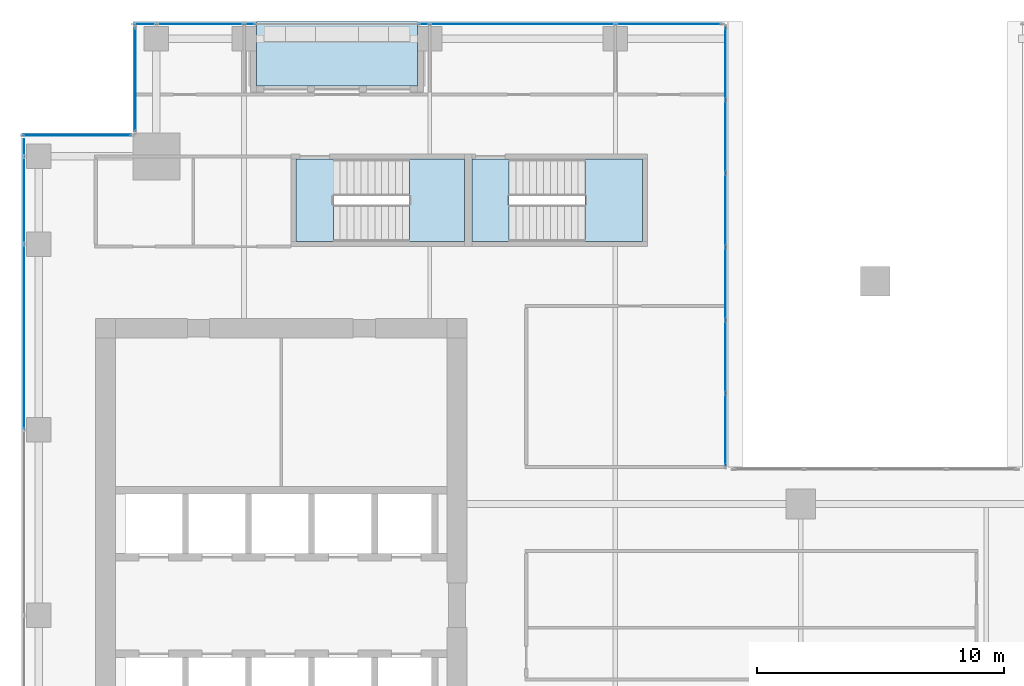
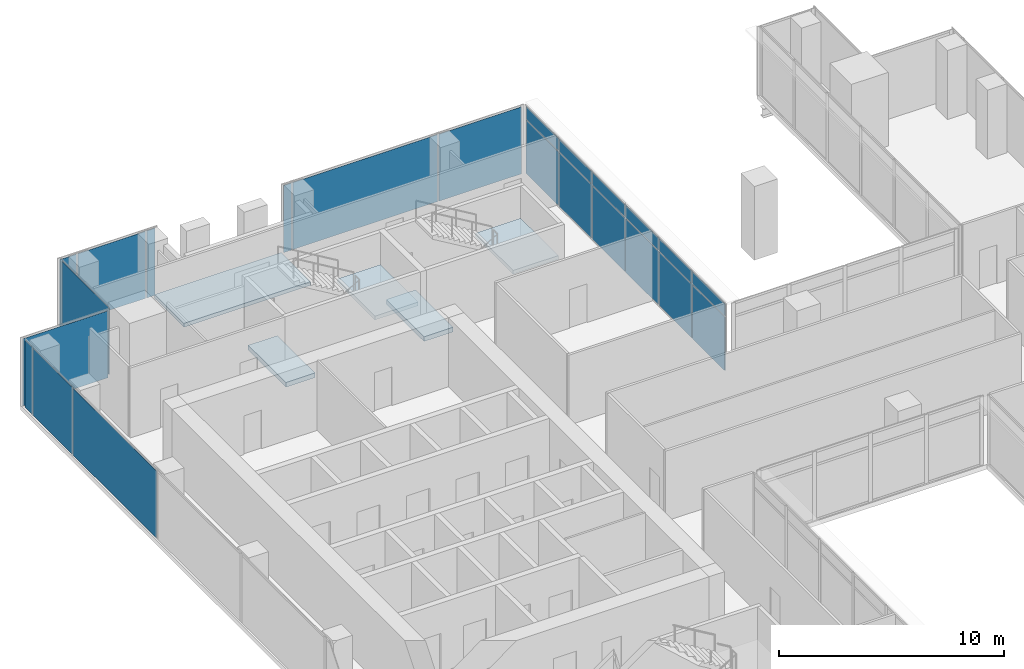
# One storey, part 30 of 37: 23 plates, 5 slabs, 8 elements without a shape of their own.
"""IFC4 building model written with IfcOpenShell, lengths in metres."""

import ifcopenshell
import ifcopenshell.guid

model = None  # the IFC model being written
_history = None  # IfcOwnerHistory: only IFC2X3 demands one
_inside = {}  # id of a spatial element -> (the spatial element, [elements in it])
_under = {}  # id of a project, library or spatial element -> (it, [spatial elements below it])
_declared = {}  # id of a project -> (the project, [libraries it declares])
_typed = {}  # id of a type object -> (the type object, [elements of that type])
_made_of = {}  # id of a material, layer set ... -> (it, [elements and type objects made of it])


def new_model(schema):
    """Start an empty IFC model of exactly this schema.

    Asked for "IFC4X3", IfcOpenShell would pick the latest addendum, in which some entities
    have other attributes; the version numbers below select the first issue.
    IFC2X3 requires an IfcOwnerHistory on every rooted entity: one is made here for all.
    """
    global model, _history
    if schema == "IFC4X3":
        model = ifcopenshell.file(schema_version=(4, 3, 0, 0))
    else:
        model = ifcopenshell.file(schema=schema)
    _inside.clear()
    _under.clear()
    _declared.clear()
    _typed.clear()
    _made_of.clear()
    _history = None
    if model.schema == "IFC2X3":
        org = make("IfcOrganization", Name="unknown")
        user = make(
            "IfcPersonAndOrganization",
            ThePerson=make("IfcPerson", FamilyName="unknown"),
            TheOrganization=org,
        )
        app = make(
            "IfcApplication",
            ApplicationDeveloper=org,
            Version="unknown",
            ApplicationFullName="unknown",
            ApplicationIdentifier="unknown",
        )
        _history = make(
            "IfcOwnerHistory",
            OwningUser=user,
            OwningApplication=app,
            ChangeAction="ADDED",
            CreationDate=0,
        )
    return model


def make(cls, **values):
    """One entity of the class cls with the attributes given. An attribute that is None is left unset."""
    return model.create_entity(
        cls, **{name: value for name, value in values.items() if value is not None}
    )


def rooted(cls, **values):
    """An entity with a GlobalId (a new one), such as an element, a storey or a relation."""
    return make(cls, GlobalId=ifcopenshell.guid.new(), OwnerHistory=_history, **values)


def si_unit(unit_type, name, prefix=None):
    """IfcSIUnit, for example si_unit("LENGTHUNIT", "METRE", prefix="MILLI")."""
    return make("IfcSIUnit", UnitType=unit_type, Prefix=prefix, Name=name)


def assignment(units):
    """IfcUnitAssignment: the units of a project."""
    return None if units is None else make("IfcUnitAssignment", Units=units)


def point(xyz):
    """IfcCartesianPoint."""
    return None if xyz is None else make("IfcCartesianPoint", Coordinates=xyz)


def direction(xyz):
    """IfcDirection."""
    return None if xyz is None else make("IfcDirection", DirectionRatios=xyz)


def frame(location, z_axis=None, x_axis=None):
    """IfcAxis2Placement3D, a coordinate frame: its origin and axes. An axis left out is left unset."""
    return make(
        "IfcAxis2Placement3D",
        Location=point(location),
        Axis=direction(z_axis),
        RefDirection=direction(x_axis),
    )


def frame_2d(location, x_axis=None):
    """IfcAxis2Placement2D, a coordinate frame in the plane: its origin and x axis."""
    return make(
        "IfcAxis2Placement2D", Location=point(location), RefDirection=direction(x_axis)
    )


def origin():
    """The frame at (0, 0, 0) with its axes left unset."""
    return frame((0.0, 0.0, 0.0))


def origin_2d():
    """The frame at (0, 0) in the plane with its x axis left unset."""
    return frame_2d((0.0, 0.0))


def place(relative_to, where):
    """IfcLocalPlacement: puts the frame where relative to a parent placement (None: the world)."""
    return make(
        "IfcLocalPlacement", PlacementRelTo=relative_to, RelativePlacement=where
    )


def context(
    kind, dimensions, precision=None, world=None, true_north=None, identifier=None
):
    """IfcGeometricRepresentationContext, for example the 3D "Model" context."""
    return make(
        "IfcGeometricRepresentationContext",
        ContextIdentifier=identifier,
        ContextType=kind,
        CoordinateSpaceDimension=dimensions,
        Precision=precision,
        WorldCoordinateSystem=world,
        TrueNorth=true_north,
    )


def subcontext(parent, identifier, kind, view, scale=None):
    """IfcGeometricRepresentationSubContext, for example "Body" below "Model"."""
    return make(
        "IfcGeometricRepresentationSubContext",
        ContextIdentifier=identifier,
        ContextType=kind,
        ParentContext=parent,
        TargetScale=scale,
        TargetView=view,
    )


def project(units=None, contexts=None):
    """IfcProject with its units and contexts."""
    return rooted(
        "IfcProject",
        Name="project",
        RepresentationContexts=contexts,
        UnitsInContext=assignment(units),
    )


def spatial(cls, under=None, at=None, **own):
    """A site, building, storey or space (cls), placed at a placement, below another one or the project."""
    s = rooted(cls, ObjectPlacement=at, **own)
    if under is not None:
        _under.setdefault(under.id(), (under, []))[1].append(s)
    return s


def polyline(points):
    """IfcPolyline through the points."""
    return make("IfcPolyline", Points=[point(p) for p in points])


def profile(cls, at=None, kind="AREA", **sizes):
    """A parametric profile (cls). Its sizes go by their IFC names, for example OverallWidth=200.0."""
    return make(cls, ProfileType=kind, Position=at, **sizes)


def rectangle(**sizes):
    """IfcRectangleProfileDef."""
    return profile("IfcRectangleProfileDef", **sizes)


def outline(outer, holes=None, kind="AREA"):
    """IfcArbitraryClosedProfileDef: a profile drawn as a closed curve; with holes, ...WithVoids."""
    if holes is None:
        return make("IfcArbitraryClosedProfileDef", ProfileType=kind, OuterCurve=outer)
    return make(
        "IfcArbitraryProfileDefWithVoids",
        ProfileType=kind,
        OuterCurve=outer,
        InnerCurves=holes,
    )


def extrude(swept, where, along, depth):
    """IfcExtrudedAreaSolid: the profile swept, set in the frame where, extruded along a direction by depth."""
    return make(
        "IfcExtrudedAreaSolid",
        SweptArea=swept,
        Position=where,
        ExtrudedDirection=direction(along),
        Depth=depth,
    )


def shape(context_of_items, identifier, shape_type, items):
    """IfcShapeRepresentation: the items that make up one representation, for example the "Body"."""
    return make(
        "IfcShapeRepresentation",
        ContextOfItems=context_of_items,
        RepresentationIdentifier=identifier,
        RepresentationType=shape_type,
        Items=items,
    )


def source(mapping_origin, context_of_items, identifier, shape_type, items):
    """IfcRepresentationMap: a shape defined once, which mapped items show again and again."""
    return make(
        "IfcRepresentationMap",
        MappingOrigin=mapping_origin,
        MappedRepresentation=shape(context_of_items, identifier, shape_type, items),
    )


def transform(
    local_origin,
    x_axis=None,
    y_axis=None,
    z_axis=None,
    scale=None,
    scale2=None,
    scale3=None,
    uniform=True,
):
    """IfcCartesianTransformationOperator3D, or its non-uniform kind. x_axis, y_axis, z_axis: its Axis1, 2, 3."""
    if uniform:
        return make(
            "IfcCartesianTransformationOperator3D",
            Axis1=direction(x_axis),
            Axis2=direction(y_axis),
            LocalOrigin=point(local_origin),
            Scale=scale,
            Axis3=direction(z_axis),
        )
    return make(
        "IfcCartesianTransformationOperator3DnonUniform",
        Axis1=direction(x_axis),
        Axis2=direction(y_axis),
        LocalOrigin=point(local_origin),
        Scale=scale,
        Axis3=direction(z_axis),
        Scale2=scale2,
        Scale3=scale3,
    )


def mapped(mapping_source, mapping_target):
    """IfcMappedItem: shows the shape of a source again, moved by a transform."""
    return make(
        "IfcMappedItem", MappingSource=mapping_source, MappingTarget=mapping_target
    )


def material(Name=None, Category=None):
    """IfcMaterial."""
    return make("IfcMaterial", Name=Name, Category=Category)


def layer(
    of_material, thickness, ventilated=None, Name=None, Category=None, Priority=None
):
    """IfcMaterialLayer: one layer of a wall or slab, of a material (None: an air gap)."""
    return make(
        "IfcMaterialLayer",
        Material=of_material,
        LayerThickness=thickness,
        IsVentilated=ventilated,
        Name=Name,
        Category=Category,
        Priority=Priority,
    )


def layer_set(layers, Name=None):
    """IfcMaterialLayerSet."""
    return make("IfcMaterialLayerSet", MaterialLayers=layers, LayerSetName=Name)


def made_of(thing, what):
    """Note that an element or type object is made of a material, layer set ...; save() writes the relation."""
    if what is not None:
        _made_of.setdefault(what.id(), (what, []))[1].append(thing)
    return thing


def type_object(cls, material=None, **own):
    """A type object (cls), such as IfcWallType, which elements share."""
    return made_of(rooted(cls, **own), material)


def element(
    cls,
    number,
    at=None,
    inside=None,
    cuts=None,
    type_object=None,
    material=None,
    context=None,
    identifier="Body",
    shape_type=None,
    held_by="IfcProductDefinitionShape",
    body=None,
    shapes=None,
    **own,
):
    """One element of the class cls, such as IfcWall. Its Tag is "e" and its number.

    at: its placement. inside: the storey or other place that contains it. cuts: it is an
    opening in that element (IfcRelVoidsElement). A single representation is given by context,
    identifier, shape_type and body (its items); several are given by shapes. held_by: the class
    of the entity that holds the representations. save() writes the other relations.
    """
    e = rooted(cls, Tag="e%d" % number, ObjectPlacement=at, **own)
    if body is not None:
        shapes = [shape(context, identifier, shape_type, body)]
    if shapes is not None:
        e.Representation = make(held_by, Representations=shapes)
    if inside is not None:
        _inside.setdefault(inside.id(), (inside, []))[1].append(e)
    if cuts is not None:
        rooted(
            "IfcRelVoidsElement", RelatingBuildingElement=cuts, RelatedOpeningElement=e
        )
    if type_object is not None:
        _typed.setdefault(type_object.id(), (type_object, []))[1].append(e)
    return made_of(e, material)


def aggregate(whole, parts):
    """IfcRelAggregates: a whole, such as a stair, and the parts it consists of."""
    return rooted("IfcRelAggregates", RelatingObject=whole, RelatedObjects=parts)


def save(model, path):
    """Write the relations noted so far, then the file.

    IfcRelAggregates (storeys below a building ...), IfcRelContainedInSpatialStructure (elements
    in a storey), IfcRelDefinesByType, IfcRelAssociatesMaterial and IfcRelDeclares: one each for
    every whole, place, type object, material and project.
    """
    for whole, parts in _under.values():
        aggregate(whole, parts)
    for where, things in _inside.values():
        rooted(
            "IfcRelContainedInSpatialStructure",
            RelatedElements=things,
            RelatingStructure=where,
        )
    for kind, things in _typed.values():
        rooted("IfcRelDefinesByType", RelatedObjects=things, RelatingType=kind)
    for what, things in _made_of.values():
        rooted("IfcRelAssociatesMaterial", RelatedObjects=things, RelatingMaterial=what)
    for by, libraries in _declared.values():
        rooted("IfcRelDeclares", RelatingContext=by, RelatedDefinitions=libraries)
    model.write(path)


model = new_model("IFC4")

# Units and contexts
model_context = context("Model", 3, precision=1e-05, world=origin(), true_north=direction((0.0, 1.0)))
body_context = subcontext(model_context, "Body", "Model", "MODEL_VIEW")
ifc_project = project(units=[si_unit("LENGTHUNIT", "METRE"), si_unit("AREAUNIT", "SQUARE_METRE"), si_unit("VOLUMEUNIT", "CUBIC_METRE"), si_unit("PLANEANGLEUNIT", "RADIAN"), si_unit("MASSUNIT", "GRAM", prefix="KILO")], contexts=[model_context])

# Site, building, storey
site_placement = place(None, origin())
site = spatial("IfcSite", under=ifc_project, at=site_placement, CompositionType="ELEMENT")
building_placement = place(site_placement, origin())
building = spatial("IfcBuilding", under=site, at=building_placement, Name="Khomas Fold Tower", CompositionType="ELEMENT")
storey_placement = place(building_placement, frame((0.0, 0.0, 168.699951171875)))
storey = spatial("IfcBuildingStorey", under=building, at=storey_placement, Name="L36", CompositionType="ELEMENT", Elevation=168.699951171875)

# Curtain wall, plate
ifc_material_1 = material(Name="Aluminium framed double glazing", Category="aluminium")
curtain_wall_type_1 = type_object("IfcCurtainWallType", Name="SK-Unitised clear-glass wall, office floors CW2", PredefinedType="NOTDEFINED", material=ifc_material_1)
curtain_wall_1_placement = place(storey_placement, origin())
curtain_wall_1 = element("IfcCurtainWall", 1, at=curtain_wall_1_placement, inside=storey, type_object=curtain_wall_type_1, Name="CW2 corner return L36 17", PredefinedType="NOTDEFINED")
ifc_material_2 = material(Name="Clear double glazed unit")
ifc_layer_1 = layer(ifc_material_2, 0.030029296875)
ifc_layer_set_1 = layer_set([ifc_layer_1], Name="Clear double glazed unit")
plate_type_1 = type_object("IfcPlateType", Name="SK-Unitised clear-glass wall, office floors glass panel CW2-P", PredefinedType="CURTAIN_PANEL", material=ifc_layer_set_1)
shared_shape_1 = source(origin(), body_context, "Body", "SweptSolid", [
    extrude(rectangle(XDim=4.3798828125, YDim=0.030029296875, at=origin_2d()), origin(), (0.0, 0.0, 1.0), 3.639892578125),
])
plate_1_placement = place(storey_placement, frame((5.25, 46.39990234375, 0.0), z_axis=(0.0, 0.0, 1.0), x_axis=(-1.0, 0.0, 0.0)))
plate_1 = element("IfcPlate", 2, at=plate_1_placement, type_object=plate_type_1, Name="CW2 glass panel 1", PredefinedType="CURTAIN_PANEL", context=body_context, shape_type="MappedRepresentation", body=[
    mapped(shared_shape_1, transform((0.0, 0.0, 0.0))),
])
aggregate(curtain_wall_1, [plate_1])

curtain_wall_2_placement = place(storey_placement, origin())
curtain_wall_2 = element("IfcCurtainWall", 3, at=curtain_wall_2_placement, inside=storey, type_object=curtain_wall_type_1, Name="CW2 run L36 18-0", PredefinedType="NOTDEFINED")
shared_shape_2 = source(origin(), body_context, "Body", "SweptSolid", [
    extrude(rectangle(XDim=0.659912109375, YDim=0.030029296875, at=origin_2d()), origin(), (0.0, 0.0, 1.0), 3.639892578125),
])
plate_2_placement = place(storey_placement, frame((3.10009765625, 45.909912109375, 0.0), z_axis=(0.0, 0.0, 1.0), x_axis=(0.0, -1.0, 0.0)))
plate_2 = element("IfcPlate", 4, at=plate_2_placement, type_object=plate_type_1, Name="CW2 glass panel 1", PredefinedType="CURTAIN_PANEL", context=body_context, shape_type="MappedRepresentation", body=[
    mapped(shared_shape_2, transform((0.0, 0.0, 0.0))),
])

curtain_wall_3_placement = place(storey_placement, origin())
curtain_wall_3 = element("IfcCurtainWall", 5, at=curtain_wall_3_placement, inside=storey, type_object=curtain_wall_type_1, Name="CW2 run L36 15-1", PredefinedType="NOTDEFINED")
shared_shape_3 = source(origin(), body_context, "Body", "SweptSolid", [
    extrude(rectangle(XDim=3.489990234375, YDim=0.030029296875, at=origin_2d()), origin(), (0.0, 0.0, 1.0), 3.639892578125),
])
plate_3_placement = place(storey_placement, frame((10.22509765625, 50.89990234375, 0.0), z_axis=(0.0, 0.0, 1.0), x_axis=(-1.0, 0.0, 0.0)))
plate_3 = element("IfcPlate", 6, at=plate_3_placement, type_object=plate_type_1, Name="CW2 glass panel 2", PredefinedType="CURTAIN_PANEL", context=body_context, shape_type="MappedRepresentation", body=[
    mapped(shared_shape_3, transform((0.0, 0.0, 0.0))),
])

# Plate
plate_4_placement = place(storey_placement, frame((3.10009765625, 43.77490234375, 0.0), z_axis=(0.0, 0.0, 1.0), x_axis=(0.0, -1.0, 0.0)))
plate_4 = element("IfcPlate", 7, at=plate_4_placement, type_object=plate_type_1, Name="CW2 glass panel 2", PredefinedType="CURTAIN_PANEL", context=body_context, shape_type="MappedRepresentation", body=[
    mapped(shared_shape_3, transform((0.0, 0.0, 0.0))),
])

# Curtain wall, plate
curtain_wall_4_placement = place(storey_placement, origin())
curtain_wall_4 = element("IfcCurtainWall", 8, at=curtain_wall_4_placement, inside=storey, type_object=curtain_wall_type_1, Name="CW2 run L36 15-0", PredefinedType="NOTDEFINED")
shared_shape_4 = source(origin(), body_context, "Body", "SweptSolid", [
    extrude(rectangle(XDim=7.43994140625, YDim=0.030029296875, at=origin_2d()), origin(), (0.0, 0.0, 1.0), 3.639892578125),
])
plate_5_placement = place(storey_placement, frame((23.25, 50.89990234375, 0.0), z_axis=(0.0, 0.0, 1.0), x_axis=(-1.0, 0.0, 0.0)))
plate_5 = element("IfcPlate", 9, at=plate_5_placement, type_object=plate_type_1, Name="CW2 glass panel 2", PredefinedType="CURTAIN_PANEL", context=body_context, shape_type="MappedRepresentation", body=[
    mapped(shared_shape_4, transform((0.0, 0.0, 0.0))),
])

# Plate
plate_6_placement = place(storey_placement, frame((3.10009765625, 38.25, 0.0), z_axis=(0.0, 0.0, 1.0), x_axis=(0.0, -1.0, 0.0)))
plate_6 = element("IfcPlate", 10, at=plate_6_placement, type_object=plate_type_1, Name="CW2 glass panel 3", PredefinedType="CURTAIN_PANEL", context=body_context, shape_type="MappedRepresentation", body=[
    mapped(shared_shape_4, transform((0.0, 0.0, 0.0))),
])

aggregate(curtain_wall_2, [plate_2, plate_4, plate_6])

# Curtain wall, plate
curtain_wall_5_placement = place(storey_placement, origin())
curtain_wall_5 = element("IfcCurtainWall", 11, at=curtain_wall_5_placement, inside=storey, type_object=curtain_wall_type_1, Name="CW2 corner return L36 16", PredefinedType="NOTDEFINED")
shared_shape_5 = source(origin(), body_context, "Body", "SweptSolid", [
    extrude(rectangle(XDim=4.179931640625, YDim=0.030029296875, at=origin_2d()), origin(), (0.0, 0.0, 1.0), 3.639892578125),
])
plate_7_placement = place(storey_placement, frame((7.60009765625, 48.64990234375, 0.0), z_axis=(0.0, 0.0, 1.0), x_axis=(0.0, -1.0, 0.0)))
plate_7 = element("IfcPlate", 12, at=plate_7_placement, type_object=plate_type_1, Name="CW2 glass panel 1", PredefinedType="CURTAIN_PANEL", context=body_context, shape_type="MappedRepresentation", body=[
    mapped(shared_shape_5, transform((0.0, 0.0, 0.0))),
])
aggregate(curtain_wall_5, [plate_7])

# Plate
shared_shape_6 = source(origin(), body_context, "Body", "SweptSolid", [
    extrude(rectangle(XDim=0.409912109375, YDim=0.030029296875, at=origin_2d()), origin(), (0.0, 0.0, 1.0), 3.639892578125),
])
plate_8_placement = place(storey_placement, frame((19.264892578125, 50.89990234375, 0.0), z_axis=(0.0, 0.0, 1.0), x_axis=(-1.0, 0.0, 0.0)))
plate_8 = element("IfcPlate", 13, at=plate_8_placement, type_object=plate_type_1, Name="CW2 glass panel 3", PredefinedType="CURTAIN_PANEL", context=body_context, shape_type="MappedRepresentation", body=[
    mapped(shared_shape_6, transform((0.0, 0.0, 0.0))),
])

plate_9_placement = place(storey_placement, frame((12.235107421875, 50.89990234375, 0.0), z_axis=(0.0, 0.0, 1.0), x_axis=(-1.0, 0.0, 0.0)))
plate_9 = element("IfcPlate", 14, at=plate_9_placement, type_object=plate_type_1, Name="CW2 glass panel 1", PredefinedType="CURTAIN_PANEL", context=body_context, shape_type="MappedRepresentation", body=[
    mapped(shared_shape_6, transform((0.0, 0.0, 0.0))),
])

shared_shape_7 = source(origin(), body_context, "Body", "SweptSolid", [
    extrude(rectangle(XDim=0.860107421875, YDim=0.030029296875, at=origin_2d()), origin(), (0.0, 0.0, 1.0), 3.639892578125),
])
plate_10_placement = place(storey_placement, frame((7.989990234375, 50.89990234375, 0.0), z_axis=(0.0, 0.0, 1.0), x_axis=(-1.0, 0.0, 0.0)))
plate_10 = element("IfcPlate", 15, at=plate_10_placement, type_object=plate_type_1, Name="CW2 glass panel 3", PredefinedType="CURTAIN_PANEL", context=body_context, shape_type="MappedRepresentation", body=[
    mapped(shared_shape_7, transform((0.0, 0.0, 0.0))),
])

aggregate(curtain_wall_3, [plate_9, plate_3, plate_10])

shared_shape_8 = source(origin(), body_context, "Body", "SweptSolid", [
    extrude(rectangle(XDim=4.260009765625, YDim=0.030029296875, at=origin_2d()), origin(), (0.0, 0.0, 1.0), 3.639892578125),
])
plate_11_placement = place(storey_placement, frame((29.159912109375, 50.89990234375, 0.0), z_axis=(0.0, 0.0, 1.0), x_axis=(-1.0, 0.0, 0.0)))
plate_11 = element("IfcPlate", 16, at=plate_11_placement, type_object=plate_type_1, Name="CW2 glass panel 1", PredefinedType="CURTAIN_PANEL", context=body_context, shape_type="MappedRepresentation", body=[
    mapped(shared_shape_8, transform((0.0, 0.0, 0.0))),
])

aggregate(curtain_wall_4, [plate_11, plate_5, plate_8])

# Slab
ifc_material_3 = material(Name="Concrete C40/50", Category="concrete")
ifc_layer_2 = layer(ifc_material_3, 0.205078125)
ifc_layer_set_2 = layer_set([ifc_layer_2], Name="Concrete C40/50")
slab_type_1 = type_object("IfcSlabType", Name="BL-Balcony deck 205", PredefinedType="FLOOR", material=ifc_layer_set_2)
shared_shape_9 = source(origin(), body_context, "Body", "SweptSolid", [
    extrude(outline(polyline([(12.5, 48.39990234375), (19.0, 48.39990234375), (19.0, 51.0), (12.5, 51.0), (12.5, 48.39990234375)])), origin(), (0.0, 0.0, 1.0), 0.205078125),
])
slab_1_placement = place(storey_placement, frame((0.0, 0.0, -0.25)))
element("IfcSlab", 17, at=slab_1_placement, inside=storey, type_object=slab_type_1, Name="Balcony deck BAL-L36-N1", PredefinedType="FLOOR", context=body_context, shape_type="MappedRepresentation", body=[
    mapped(shared_shape_9, transform((0.0, 0.0, 0.0))),
])

# Curtain wall, plates
ifc_material_4 = material(Name="Aluminium framed double glazing", Category="aluminium")
curtain_wall_type_2 = type_object("IfcCurtainWallType", Name="Notch glazing GN-CW", PredefinedType="NOTDEFINED", material=ifc_material_4)
curtain_wall_6_placement = place(storey_placement, origin())
curtain_wall_6 = element("IfcCurtainWall", 18, at=curtain_wall_6_placement, inside=storey, type_object=curtain_wall_type_2, Name="Notch glazing run", PredefinedType="NOTDEFINED")
ifc_material_5 = material(Name="Double glazed unit")
ifc_layer_3 = layer(ifc_material_5, 0.031982421875)
ifc_layer_set_3 = layer_set([ifc_layer_3], Name="Double glazed unit")
plate_type_2 = type_object("IfcPlateType", Name="Notch glazing panel GN-CW-P", PredefinedType="CURTAIN_PANEL", material=ifc_layer_set_3)
shared_shape_10 = source(origin(), body_context, "Body", "SweptSolid", [
    extrude(rectangle(XDim=2.876708984375, YDim=0.031982421875, at=origin_2d()), origin(), (0.0, 0.0, 1.0), 2.909912109375),
])
plate_12_placement = place(storey_placement, frame((31.449951171875, 34.498291015625, 0.06005859375), z_axis=(0.0, 0.0, 1.0), x_axis=(0.0, 1.0, 0.0)))
plate_12 = element("IfcPlate", 19, at=plate_12_placement, type_object=plate_type_2, Name="GN-CW panel 1.1", PredefinedType="CURTAIN_PANEL", context=body_context, shape_type="MappedRepresentation", body=[
    mapped(shared_shape_10, transform((0.0, 0.0, 0.0))),
])
plate_13_placement = place(storey_placement, frame((31.449951171875, 49.3017578125, 0.06005859375), z_axis=(0.0, 0.0, 1.0), x_axis=(0.0, 1.0, 0.0)))
plate_13 = element("IfcPlate", 20, at=plate_13_placement, type_object=plate_type_2, Name="GN-CW panel 6.1", PredefinedType="CURTAIN_PANEL", context=body_context, shape_type="MappedRepresentation", body=[
    mapped(shared_shape_10, transform((0.0, 0.0, 0.0))),
])
shared_shape_11 = source(origin(), body_context, "Body", "SweptSolid", [
    extrude(rectangle(XDim=2.90673828125, YDim=0.031982421875, at=origin_2d()), origin(), (0.0, 0.0, 1.0), 2.909912109375),
])
plate_14_placement = place(storey_placement, frame((31.449951171875, 37.449951171875, 0.06005859375), z_axis=(0.0, 0.0, 1.0), x_axis=(0.0, 1.0, 0.0)))
plate_14 = element("IfcPlate", 21, at=plate_14_placement, type_object=plate_type_2, Name="GN-CW panel 2.1", PredefinedType="CURTAIN_PANEL", context=body_context, shape_type="MappedRepresentation", body=[
    mapped(shared_shape_11, transform((0.0, 0.0, 0.0))),
])
plate_15_placement = place(storey_placement, frame((31.449951171875, 40.416748046875, 0.06005859375), z_axis=(0.0, 0.0, 1.0), x_axis=(0.0, 1.0, 0.0)))
plate_15 = element("IfcPlate", 22, at=plate_15_placement, type_object=plate_type_2, Name="GN-CW panel 3.1", PredefinedType="CURTAIN_PANEL", context=body_context, shape_type="MappedRepresentation", body=[
    mapped(shared_shape_11, transform((0.0, 0.0, 0.0))),
])
plate_16_placement = place(storey_placement, frame((31.449951171875, 43.38330078125, 0.06005859375), z_axis=(0.0, 0.0, 1.0), x_axis=(0.0, 1.0, 0.0)))
plate_16 = element("IfcPlate", 23, at=plate_16_placement, type_object=plate_type_2, Name="GN-CW panel 4.1", PredefinedType="CURTAIN_PANEL", context=body_context, shape_type="MappedRepresentation", body=[
    mapped(shared_shape_11, transform((0.0, 0.0, 0.0))),
])
plate_17_placement = place(storey_placement, frame((31.449951171875, 46.35009765625, 0.06005859375), z_axis=(0.0, 0.0, 1.0), x_axis=(0.0, 1.0, 0.0)))
plate_17 = element("IfcPlate", 24, at=plate_17_placement, type_object=plate_type_2, Name="GN-CW panel 5.1", PredefinedType="CURTAIN_PANEL", context=body_context, shape_type="MappedRepresentation", body=[
    mapped(shared_shape_11, transform((0.0, 0.0, 0.0))),
])
shared_shape_12 = source(origin(), body_context, "Body", "SweptSolid", [
    extrude(rectangle(XDim=2.876708984375, YDim=0.031982421875, at=origin_2d()), origin(), (0.0, 0.0, 1.0), 0.659912109375),
])
plate_18_placement = place(storey_placement, frame((31.449951171875, 34.498291015625, 3.0302734375), z_axis=(0.0, 0.0, 1.0), x_axis=(0.0, 1.0, 0.0)))
plate_18 = element("IfcPlate", 25, at=plate_18_placement, type_object=plate_type_2, Name="GN-CW panel 1.2", PredefinedType="CURTAIN_PANEL", context=body_context, shape_type="MappedRepresentation", body=[
    mapped(shared_shape_12, transform((0.0, 0.0, 0.0))),
])
plate_19_placement = place(storey_placement, frame((31.449951171875, 49.3017578125, 3.0302734375), z_axis=(0.0, 0.0, 1.0), x_axis=(0.0, 1.0, 0.0)))
plate_19 = element("IfcPlate", 26, at=plate_19_placement, type_object=plate_type_2, Name="GN-CW panel 6.2", PredefinedType="CURTAIN_PANEL", context=body_context, shape_type="MappedRepresentation", body=[
    mapped(shared_shape_12, transform((0.0, 0.0, 0.0))),
])
shared_shape_13 = source(origin(), body_context, "Body", "SweptSolid", [
    extrude(rectangle(XDim=2.90673828125, YDim=0.031982421875, at=origin_2d()), origin(), (0.0, 0.0, 1.0), 0.659912109375),
])
plate_20_placement = place(storey_placement, frame((31.449951171875, 37.449951171875, 3.0302734375), z_axis=(0.0, 0.0, 1.0), x_axis=(0.0, 1.0, 0.0)))
plate_20 = element("IfcPlate", 27, at=plate_20_placement, type_object=plate_type_2, Name="GN-CW panel 2.2", PredefinedType="CURTAIN_PANEL", context=body_context, shape_type="MappedRepresentation", body=[
    mapped(shared_shape_13, transform((0.0, 0.0, 0.0))),
])
plate_21_placement = place(storey_placement, frame((31.449951171875, 40.416748046875, 3.0302734375), z_axis=(0.0, 0.0, 1.0), x_axis=(0.0, 1.0, 0.0)))
plate_21 = element("IfcPlate", 28, at=plate_21_placement, type_object=plate_type_2, Name="GN-CW panel 3.2", PredefinedType="CURTAIN_PANEL", context=body_context, shape_type="MappedRepresentation", body=[
    mapped(shared_shape_13, transform((0.0, 0.0, 0.0))),
])
plate_22_placement = place(storey_placement, frame((31.449951171875, 43.38330078125, 3.0302734375), z_axis=(0.0, 0.0, 1.0), x_axis=(0.0, 1.0, 0.0)))
plate_22 = element("IfcPlate", 29, at=plate_22_placement, type_object=plate_type_2, Name="GN-CW panel 4.2", PredefinedType="CURTAIN_PANEL", context=body_context, shape_type="MappedRepresentation", body=[
    mapped(shared_shape_13, transform((0.0, 0.0, 0.0))),
])
plate_23_placement = place(storey_placement, frame((31.449951171875, 46.35009765625, 3.0302734375), z_axis=(0.0, 0.0, 1.0), x_axis=(0.0, 1.0, 0.0)))
plate_23 = element("IfcPlate", 30, at=plate_23_placement, type_object=plate_type_2, Name="GN-CW panel 5.2", PredefinedType="CURTAIN_PANEL", context=body_context, shape_type="MappedRepresentation", body=[
    mapped(shared_shape_13, transform((0.0, 0.0, 0.0))),
])
aggregate(curtain_wall_6, [plate_12, plate_18, plate_14, plate_20, plate_15, plate_21, plate_16, plate_22, plate_17, plate_23, plate_13, plate_19])

# Stair, slab
ifc_material_6 = material(Name="Concrete C40/50", Category="concrete")
stair_type_1 = type_object("IfcStairType", Name="Stair ST1", PredefinedType="HALF_TURN_STAIR", material=ifc_material_6)
stair_1_placement = place(storey_placement, origin())
stair_1 = element("IfcStair", 31, at=stair_1_placement, inside=storey, type_object=stair_type_1, Name="L36 ST1", PredefinedType="HALF_TURN_STAIR")
ifc_material_7 = material(Name="Concrete C40/50", Category="concrete")
ifc_layer_4 = layer(ifc_material_7, 0.199951171875)
ifc_layer_set_4 = layer_set([ifc_layer_4], Name="Concrete C40/50")
slab_type_2 = type_object("IfcSlabType", Name="Stair landing 200", PredefinedType="LANDING", material=ifc_layer_set_4)
shared_shape_14 = source(origin(), body_context, "Body", "SweptSolid", [
    extrude(outline(polyline([(18.679931640625, 42.10009765625), (20.89990234375, 42.10009765625), (20.89990234375, 45.449951171875), (18.679931640625, 45.449951171875), (18.679931640625, 42.10009765625)])), origin(), (0.0, 0.0, 1.0), 0.199951171875),
])
slab_2_placement = place(storey_placement, frame((0.0, 0.0, 1.800048828125)))
slab_2 = element("IfcSlab", 32, at=slab_2_placement, type_object=slab_type_2, Name="ST1 landing 1", PredefinedType="LANDING", context=body_context, shape_type="MappedRepresentation", body=[
    mapped(shared_shape_14, transform((0.0, 0.0, 0.0))),
])
aggregate(stair_1, [slab_2])

# Slab
ifc_material_8 = material(Name="Concrete C40/50", Category="concrete")
ifc_layer_5 = layer(ifc_material_8, 0.25)
ifc_layer_set_5 = layer_set([ifc_layer_5], Name="Concrete C40/50")
slab_type_3 = type_object("IfcSlabType", Name="Stair floor landing 250", PredefinedType="LANDING", material=ifc_layer_set_5)
shared_shape_15 = source(origin(), body_context, "Body", "SweptSolid", [
    extrude(outline(polyline([(15.60009765625, 42.10009765625), (14.10009765625, 42.10009765625), (14.10009765625, 45.449951171875), (15.60009765625, 45.449951171875), (15.60009765625, 42.10009765625)])), origin(), (0.0, 0.0, 1.0), 0.25),
])
slab_3_placement = place(storey_placement, frame((0.0, 0.0, -0.25)))
element("IfcSlab", 33, at=slab_3_placement, inside=storey, type_object=slab_type_3, Name="ST1 floor landing", PredefinedType="LANDING", context=body_context, shape_type="MappedRepresentation", body=[
    mapped(shared_shape_15, transform((0.0, 0.0, 0.0))),
])

# Stair, slab
ifc_material_9 = material(Name="Concrete C40/50", Category="concrete")
stair_type_2 = type_object("IfcStairType", Name="Stair ST3", PredefinedType="HALF_TURN_STAIR", material=ifc_material_9)
stair_2_placement = place(storey_placement, origin())
stair_2 = element("IfcStair", 34, at=stair_2_placement, inside=storey, type_object=stair_type_2, Name="L36 ST3", PredefinedType="HALF_TURN_STAIR")
shared_shape_16 = source(origin(), body_context, "Body", "SweptSolid", [
    extrude(outline(polyline([(25.780029296875, 42.10009765625), (28.10009765625, 42.10009765625), (28.10009765625, 45.449951171875), (25.780029296875, 45.449951171875), (25.780029296875, 42.10009765625)])), origin(), (0.0, 0.0, 1.0), 0.199951171875),
])
slab_4_placement = place(storey_placement, frame((0.0, 0.0, 1.800048828125)))
slab_4 = element("IfcSlab", 35, at=slab_4_placement, type_object=slab_type_2, Name="ST3 landing 1", PredefinedType="LANDING", context=body_context, shape_type="MappedRepresentation", body=[
    mapped(shared_shape_16, transform((0.0, 0.0, 0.0))),
])
aggregate(stair_2, [slab_4])

# Slab
shared_shape_17 = source(origin(), body_context, "Body", "SweptSolid", [
    extrude(outline(polyline([(22.699951171875, 42.10009765625), (21.199951171875, 42.10009765625), (21.199951171875, 45.449951171875), (22.699951171875, 45.449951171875), (22.699951171875, 42.10009765625)])), origin(), (0.0, 0.0, 1.0), 0.25),
])
slab_5_placement = place(storey_placement, frame((0.0, 0.0, -0.25)))
element("IfcSlab", 36, at=slab_5_placement, inside=storey, type_object=slab_type_3, Name="ST3 floor landing", PredefinedType="LANDING", context=body_context, shape_type="MappedRepresentation", body=[
    mapped(shared_shape_17, transform((0.0, 0.0, 0.0))),
])

save(model, "model.ifc")
